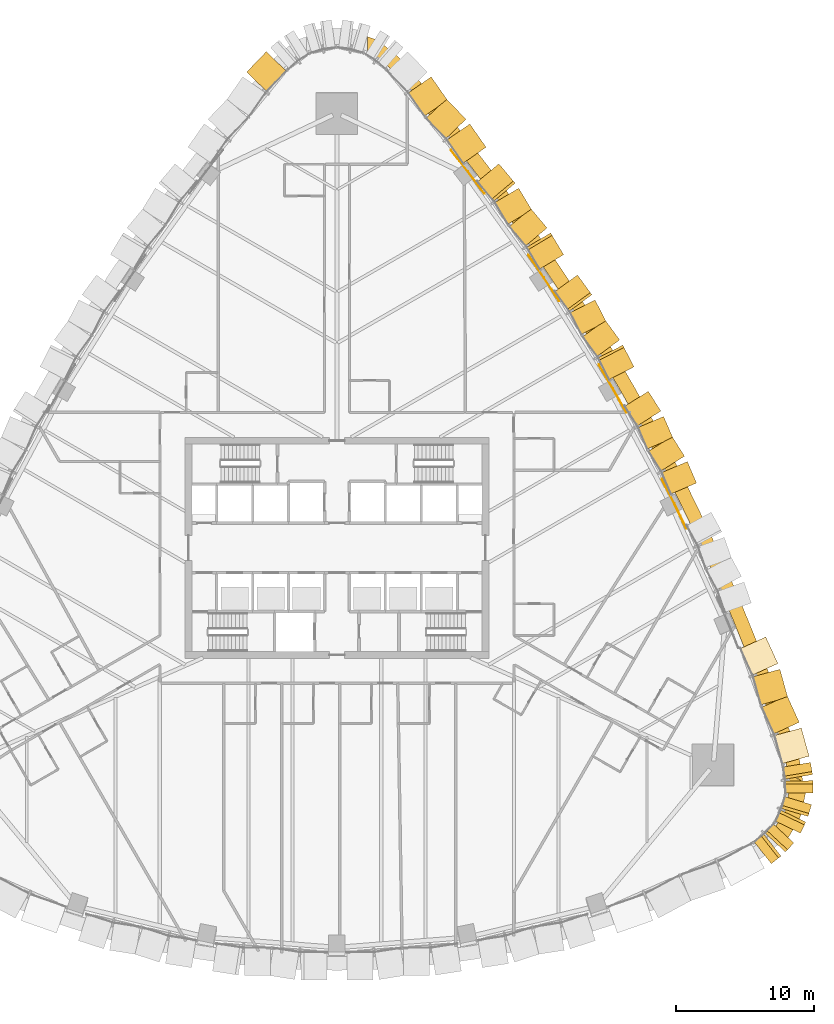
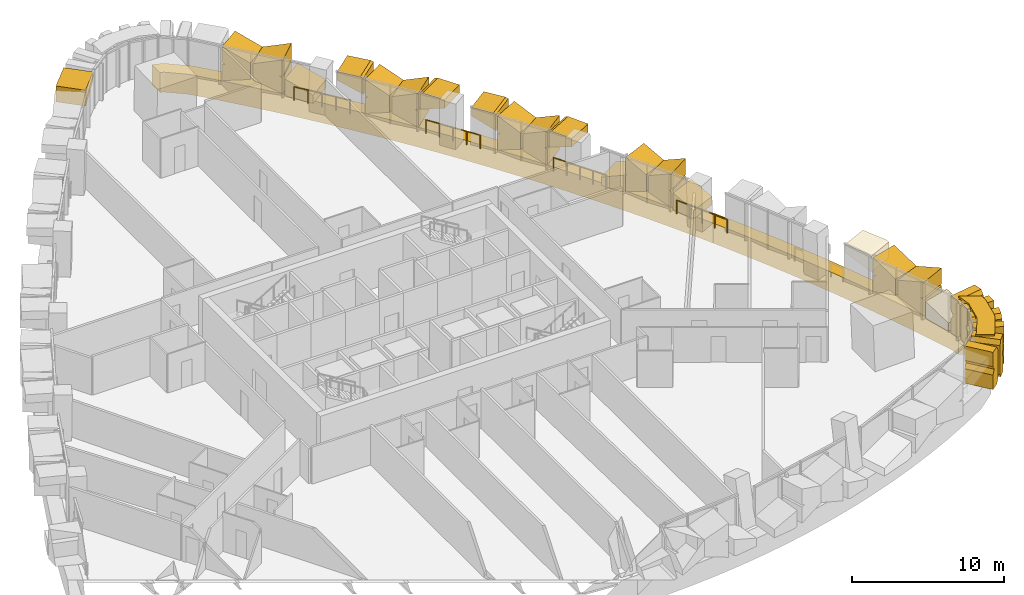
# One storey, part 25 of 27: 28 coverings, 4 railings.
"""IFC4 building model written with IfcOpenShell, lengths in metres."""

from ifc_helpers import new_model, si_unit, direction, frame, origin, origin_2d, place, context, subcontext, project, spatial, polyline, circle, outline, extrude, material, layer, layer_set, type_object, element, save


model = new_model("IFC4")

# Units and contexts
model_context = context("Model", 3, precision=1e-05, world=origin(), true_north=direction((0.0, 1.0)))
body_context = subcontext(model_context, "Body", "Model", "MODEL_VIEW")
ifc_project = project(units=[si_unit("LENGTHUNIT", "METRE"), si_unit("AREAUNIT", "SQUARE_METRE"), si_unit("VOLUMEUNIT", "CUBIC_METRE"), si_unit("PLANEANGLEUNIT", "RADIAN"), si_unit("MASSUNIT", "GRAM", prefix="KILO")], contexts=[model_context])

# Site, building, storey
site_placement = place(None, origin())
site = spatial("IfcSite", under=ifc_project, at=site_placement, CompositionType="ELEMENT")
building_placement = place(site_placement, origin())
building = spatial("IfcBuilding", under=site, at=building_placement, Name="Sierra Prisma Convention Tower", CompositionType="ELEMENT")
storey_placement = place(building_placement, frame((0.0, 0.0, 48.0)))
storey = spatial("IfcBuildingStorey", under=building, at=storey_placement, Name="L07", CompositionType="ELEMENT", Elevation=48.0)

# Coverings
ifc_material_1 = material(Name="Aluminium composite bronze anodised", Category="aluminium")
ifc_layer_1 = layer(ifc_material_1, 1.199951171875)
ifc_layer_set_1 = layer_set([ifc_layer_1], Name="Bronze corner pier")
covering_type_1 = type_object("IfcCoveringType", Name="Bronze corner pier", PredefinedType="CLADDING", material=ifc_layer_set_1)
covering_1_placement = place(storey_placement, frame((0.0, 0.0, -0.60009765625)))
element("IfcCovering", 1, at=covering_1_placement, inside=storey, type_object=covering_type_1, Name="Corner pier SE L07.1", PredefinedType="CLADDING", context=body_context, shape_type="SweptSolid", body=[
    extrude(outline(polyline([(33.949462890625, -17.1796875), (33.9384765625, -17.588134765625), (33.600830078125, -19.26708984375), (33.453125, -19.648193359375), (32.57177734375, -21.116455078125), (32.439697265625, -21.269287109375), (31.3623046875, -20.647216796875), (31.54296875, -20.498779296875), (32.42431640625, -19.030517578125), (32.761962890625, -17.3515625), (32.607666015625, -16.28564453125), (33.9306640625, -17.049560546875), (33.949462890625, -17.1796875)])), origin(), (0.0, 0.0, 1.0), 3.7001953125),
])
ifc_material_2 = material(Name="Aluminium 6063-T6 bronze anodised", Category="aluminium")
ifc_layer_2 = layer(ifc_material_2, 2.0)
ifc_layer_set_2 = layer_set([ifc_layer_2], Name="Bronze crystal chevron frame")
covering_type_2 = type_object("IfcCoveringType", Name="Bronze crystal chevron frame", PredefinedType="CLADDING", material=ifc_layer_set_2)
covering_2_placement = place(storey_placement, frame((31.431396484375, -22.856201171875, 0.0), z_axis=(0.61804576093, -0.7861421229, 0.0), x_axis=(0.7861421229, 0.61804576093, 0.0)))
element("IfcCovering", 2, at=covering_2_placement, inside=storey, type_object=covering_type_2, Name="CW-2 chevron frame SE1.1.1", PredefinedType="CLADDING", context=body_context, shape_type="SweptSolid", body=[
    extrude(outline(polyline([(0.0, 0.0), (0.6655541202490309, 0.0), (0.8888041303295908, 0.327880859375), (0.8888041303295908, 2.652099609375), (0.6655541202490309, 2.97998046875), (0.0, 2.97998046875), (0.0, 1.825439453125), (0.227939629459136, 1.489990234375), (0.0, 1.15478515625), (0.0, 0.0)])), origin(), (0.0, 0.0, -1.0), 2.0),
])
covering_3_placement = place(storey_placement, frame((32.4560546875, -22.006103515625, 0.327880859375), z_axis=(0.733644064481, -0.679533948123, 0.0), x_axis=(0.382192310942, 0.41262562553, -0.82684286936)))
element("IfcCovering", 3, at=covering_3_placement, inside=storey, type_object=covering_type_2, Name="CW-2 chevron frame SE1.1.2", PredefinedType="CLADDING", context=body_context, shape_type="SweptSolid", body=[
    extrude(outline(polyline([(0.0, 0.0), (0.39654554876748715, -2.7755575615628914e-17), (0.7710246085484119, 0.550528410047601), (-0.1838012635401256, 1.200017679462963), (-0.5893209305797057, 1.1998470512217163), (-0.7383269867171262, 1.5772157815948864), (-1.6929509928707613, 2.2265677382683), (-2.067430052651686, 1.676039328220699), (-1.9217637002712216, 1.3072173033476204), (0.0, 0.0)])), origin(), (0.0, 0.0, -1.0), 2.0),
])
covering_4_placement = place(storey_placement, frame((33.539306640625, -20.650390625, 0.0), z_axis=(0.901292091871, -0.433211917116, 0.0), x_axis=(0.433211917116, 0.901292091871, 0.0)))
element("IfcCovering", 4, at=covering_4_placement, inside=storey, type_object=covering_type_2, Name="CW-2 chevron frame SE2.1.1", PredefinedType="CLADDING", context=body_context, shape_type="SweptSolid", body=[
    extrude(outline(polyline([(0.0, 0.0), (0.6657712978350099, 0.0), (0.8887486686327468, 0.32788085937500006), (0.8887486686327468, 2.6520996093750004), (0.6657712978350099, 2.9799804687500004), (0.0, 2.9799804687500004), (0.0, 1.8254394531250004), (0.22800428610107465, 1.4899902343750002), (0.0, 1.1547851562500002), (0.0, 0.0)])), origin(), (0.0, 0.0, -1.0), 2.0),
])
covering_5_placement = place(storey_placement, frame((34.08447265625, -19.435791015625, 0.327880859375), z_axis=(0.957926827618, -0.287012530964, 0.0), x_axis=(0.161523017986, 0.539095738039, -0.826611214471)))
element("IfcCovering", 5, at=covering_5_placement, inside=storey, type_object=covering_type_2, Name="CW-2 chevron frame SE2.1.2", PredefinedType="CLADDING", context=body_context, shape_type="SweptSolid", body=[
    extrude(outline(polyline([(0.0, 0.0), (0.3966566792648369, 5.551115123125783e-17), (0.771312585232, 0.550301015048411), (-0.1832457752284864, 1.2001833840740104), (-0.5886940300706622, 1.200284674904161), (-0.7376161380582867, 1.5776097831677358), (-1.6919726891402402, 2.227354756343647), (-2.066628595107403, 1.6770537412952358), (-1.9212252836329449, 1.308008489032496), (0.0, 0.0)])), origin(), (0.0, 0.0, -1.0), 2.0),
])
covering_6_placement = place(storey_placement, frame((34.45947265625, -17.741455078125, 0.0), z_axis=(0.999966260474, 0.008214494098, 0.0), x_axis=(-0.008214494098, 0.999966260474, 0.0)))
element("IfcCovering", 6, at=covering_6_placement, inside=storey, type_object=covering_type_2, Name="CW-2 chevron frame SE3.1.1", PredefinedType="CLADDING", context=body_context, shape_type="SweptSolid", body=[
    extrude(outline(polyline([(0.0, 0.0), (0.6657931423787214, 0.0), (0.8889461887718326, 0.327880859375), (0.8889461887718326, 2.652099609375), (0.6657931423787214, 2.97998046875), (0.0, 2.97998046875), (0.0, 1.825439453125), (0.22827982653714393, 1.489990234375), (0.0, 1.15478515625), (0.0, 0.0)])), origin(), (0.0, 0.0, -1.0), 2.0),
])
covering_7_placement = place(storey_placement, frame((34.413818359375, -16.41064453125, 0.327880859375), z_axis=(0.986371096544, 0.164535892442, 0.0), x_axis=(-0.092542711469, 0.554781418414, -0.826833371567)))
element("IfcCovering", 7, at=covering_7_placement, inside=storey, type_object=covering_type_2, Name="CW-2 chevron frame SE3.1.2", PredefinedType="CLADDING", context=body_context, shape_type="SweptSolid", body=[
    extrude(outline(polyline([(0.0, 0.0), (0.39655010386646494, 2.7755575615628914e-17), (0.7710181581322131, 0.5504922408173127), (-0.18379674604505308, 1.1999976340638163), (-0.5892922835923375, 1.1998693298033525), (-0.738316099485846, 1.5772051002896397), (-1.692929140047007, 2.226573177385351), (-2.0673971943127554, 1.6760809365680382), (-1.9217416253208404, 1.3072497555405311), (0.0, 0.0)])), origin(), (0.0, 0.0, -1.0), 2.0),
])
covering_8_placement = place(storey_placement, frame((33.67578125, -13.305908203125, 0.0), z_axis=(0.963714864507, 0.266933811856, -4.103579e-06), x_axis=(-0.253245816385, 0.914301762922, 0.316099419173)))
element("IfcCovering", 8, at=covering_8_placement, inside=storey, type_object=covering_type_2, Name="CW-2 chevron frame NE1.1.1", PredefinedType="CLADDING", context=body_context, shape_type="SweptSolid", body=[
    extrude(outline(polyline([(0.0, 0.0), (0.28731565774389345, 0.0), (0.6871474670060251, 1.20003656547246), (-1.5370077840715204, 1.199704585982058), (-1.7432132645479566, 0.5808090633141536), (0.0, 0.0)])), origin(), (0.0, 0.0, -1.0), 2.0),
])
covering_9_placement = place(storey_placement, frame((33.451416015625, -12.62646484375, 1.399169921875), z_axis=(0.910103568388, 0.414380857191, 0.0), x_axis=(0.0, 0.0, -1.0)))
element("IfcCovering", 9, at=covering_9_placement, inside=storey, type_object=covering_type_2, Name="CW-2 chevron frame NE1.1.2", PredefinedType="CLADDING", context=body_context, shape_type="SweptSolid", body=[
    extrude(outline(polyline([(0.0, 0.0), (1.264892578125, 0.0), (0.5615234375, 2.109829691156558), (-0.7431640625, 2.109829691156558), (-1.446533203125, 0.0), (-0.181640625, 0.0), (-0.0908203125, 0.2724875931408821), (0.0, 0.0)])), origin(), (0.0, 0.0, -1.0), 2.0),
])
covering_10_placement = place(storey_placement, frame((32.61962890625, -10.822998046875, 0.837646484375), z_axis=(0.963714864515, 0.266933811858, 0.0), x_axis=(-0.253234469353, 0.914255937172, -0.316241023395)))
element("IfcCovering", 10, at=covering_10_placement, inside=storey, type_object=covering_type_2, Name="CW-2 chevron frame NE1.2.1", PredefinedType="CLADDING", context=body_context, shape_type="SweptSolid", body=[
    extrude(outline(polyline([(0.0, 0.0), (2.2241552758547183, 1.1102230246251565e-16), (1.8241443524641179, 1.1999768728454345), (1.5368286979312042, 1.1999339878105584), (1.7667021353240664, 1.372295497318896), (1.3666912119334658, 2.57227237016433), (-0.41259571021026237, 1.2377294747126042), (0.0, 0.0)])), origin(), (0.0, 0.0, -1.0), 2.0),
])
covering_11_placement = place(storey_placement, frame((31.90478515625, -8.372802734375, 1.624267578125), z_axis=(0.910081645376, 0.414429001577, 3.7439052e-05), x_axis=(-0.393173497032, 0.863376218116, 0.316221610935)))
element("IfcCovering", 11, at=covering_11_placement, inside=storey, type_object=covering_type_2, Name="CW-2 chevron frame NE1.2.2", PredefinedType="CLADDING", context=body_context, shape_type="SweptSolid", body=[
    extrude(outline(polyline([(0.0, 0.0), (2.224291811322616, 0.0), (2.4305770028311224, 0.6188689581259283), (0.6873066826795252, 1.199946501077232), (0.39998636871465976, 1.199985056905103), (0.0, 0.0)])), origin(), (0.0, 0.0, -1.0), 2.0),
])
covering_12_placement = place(storey_placement, frame((25.4228515625, 6.0849609375, 0.0), z_axis=(0.918888865133, 0.394516467736, -0.00010109444), x_axis=(-0.364903363022, 0.850012788575, 0.379899716917)))
element("IfcCovering", 12, at=covering_12_placement, inside=storey, type_object=covering_type_2, Name="CW-2 chevron frame NE3.1.1", PredefinedType="CLADDING", context=body_context, shape_type="SweptSolid", body=[
    extrude(outline(polyline([(0.0, 0.0), (0.18315385657651734, 0.0), (0.676021799862464, 1.2000969364242602), (-1.1491082608535748, 1.199840602639921), (-1.404909876883428, 0.5769826141833704), (0.0, 0.0)])), origin(), (0.0, 0.0, -1.0), 2.0),
])
covering_13_placement = place(storey_placement, frame((25.149658203125, 6.633056640625, 1.42041015625), z_axis=(0.845887028338, 0.533362105224, 0.0), x_axis=(0.0, 0.0, -1.0)))
element("IfcCovering", 13, at=covering_13_placement, inside=storey, type_object=covering_type_2, Name="CW-2 chevron frame NE3.1.2", PredefinedType="CLADDING", context=body_context, shape_type="SweptSolid", body=[
    extrude(outline(polyline([(0.0, 0.0), (1.29736328125, 0.0), (0.603759765625, 1.6881427423869404), (-0.742919921875, 1.6881427423869404), (-1.4365234375, 0.0), (-0.13916015625, 0.0), (-0.069580078125, 0.16940421498229247), (0.0, 0.0)])), origin(), (0.0, 0.0, -1.0), 2.0),
])
covering_14_placement = place(storey_placement, frame((24.306884765625, 7.951171875, 0.816650390625), z_axis=(0.918890663845, 0.394512291187, 0.0), x_axis=(-0.364913735047, 0.849950259432, -0.380029633668)))
element("IfcCovering", 14, at=covering_14_placement, inside=storey, type_object=covering_type_2, Name="CW-2 chevron frame NE3.2.1", PredefinedType="CLADDING", context=body_context, shape_type="SweptSolid", body=[
    extrude(outline(polyline([(0.0, 0.0), (1.8251300798068288, 0.0), (1.3320935872993875, 1.200027708259991), (1.148850649185189, 1.199965362183991), (1.2792086040985517, 1.32874727802066), (0.7861721115911102, 2.5287749862806512), (-0.5117781883084394, 1.2456441171927193), (0.0, 0.0)])), origin(), (0.0, 0.0, -1.0), 2.0),
])
covering_15_placement = place(storey_placement, frame((23.4345703125, 9.894775390625, 0.069580078125), z_axis=(0.845821555024, 0.533465928187, 2.2798192e-05), x_axis=(-0.493455800484, 0.78240088498, -0.379934505083)))
element("IfcCovering", 15, at=covering_15_placement, inside=storey, type_object=covering_type_2, Name="CW-2 chevron frame NE3.2.2", PredefinedType="CLADDING", context=body_context, shape_type="SweptSolid", body=[
    extrude(outline(polyline([(0.0, 0.0), (0.1831370360377072, 1.3877787807814457e-17), (1.5881109761175847, 0.5770706516066382), (1.3322859358300065, 1.1999190229679852), (-0.492913076174108, 1.2000784066041326), (0.0, 0.0)])), origin(), (0.0, 0.0, -1.0), 2.0),
])
covering_16_placement = place(storey_placement, frame((21.494384765625, 13.09423828125, 2.3115234375), z_axis=(0.890097820386, 0.455769528222, 8.5367784e-05), x_axis=(-0.42400156692, 0.828125065858, -0.366649078204)))
element("IfcCovering", 16, at=covering_16_placement, inside=storey, type_object=covering_type_2, Name="CW-2 chevron frame NE4.1.1", PredefinedType="CLADDING", context=body_context, shape_type="SweptSolid", body=[
    extrude(outline(polyline([(0.0, 0.0), (1.897729513275062, -1.1102230246251565e-16), (1.424827394098022, 1.199972713876805), (1.2217866981058592, 1.1999922986464149), (-0.24508915432646894, 0.6219052225240759), (0.0, 0.0)])), origin(), (0.0, 0.0, -1.0), 2.0),
])
covering_17_placement = place(storey_placement, frame((20.457275390625, 15.043212890625, 1.41552734375), z_axis=(0.807796765477, 0.589461097686, 0.0), x_axis=(0.0, 0.0, -1.0)))
element("IfcCovering", 17, at=covering_17_placement, inside=storey, type_object=covering_type_2, Name="CW-2 chevron frame NE4.1.2", PredefinedType="CLADDING", context=body_context, shape_type="SweptSolid", body=[
    extrude(outline(polyline([(0.0, 0.0), (1.289794921875, 0.0), (0.593994140625, 1.7656302156618684), (-0.742919921875, 1.7656302156618684), (-1.438720703125, 0.0), (-0.14892578125, 0.0), (-0.074462890625, 0.18922473067162907), (0.0, 0.0)])), origin(), (0.0, 0.0, -1.0), 2.0),
])
covering_18_placement = place(storey_placement, frame((19.481689453125, 16.36376953125, 0.821533203125), z_axis=(0.890071044696, 0.455821824175, 0.0), x_axis=(-0.424071061485, 0.828072182381, -0.366688144855)))
element("IfcCovering", 18, at=covering_18_placement, inside=storey, type_object=covering_type_2, Name="CW-2 chevron frame NE4.2.1", PredefinedType="CLADDING", context=body_context, shape_type="SweptSolid", body=[
    extrude(outline(polyline([(0.0, 0.0), (1.8975273430902273, 0.0), (1.4245748359440709, 1.199952860106889), (1.2214306214553703, 1.199923102805918), (1.3699655174963792, 1.338505054819212), (0.8970130103502229, 2.538457914926101), (-0.4902305374091146, 1.243789865974886), (0.0, 0.0)])), origin(), (0.0, 0.0, -1.0), 2.0),
])
covering_19_placement = place(storey_placement, frame((18.444580078125, 18.312744140625, 1.61572265625), z_axis=(0.807813979917, 0.5894375063, -4.235719e-06), x_axis=(-0.548375673426, 0.751542078238, 0.366699639258)))
element("IfcCovering", 19, at=covering_19_placement, inside=storey, type_object=covering_type_2, Name="CW-2 chevron frame NE4.2.2", PredefinedType="CLADDING", context=body_context, shape_type="SweptSolid", body=[
    extrude(outline(polyline([(0.0, 0.0), (1.897467864017675, 0.0), (2.1425908162364964, 0.6218919045260809), (0.6759987036510346, 1.1999592273918276), (0.4729673325683105, 1.199947016658614), (0.0, 0.0)])), origin(), (0.0, 0.0, -1.0), 2.0),
])
covering_20_placement = place(storey_placement, frame((16.40576171875, 21.21337890625, 2.315185546875), z_axis=(0.857165166185, 0.515041623922, -5.9225966e-05), x_axis=(-0.481418418902, 0.801166402885, -0.35548375607)))
element("IfcCovering", 20, at=covering_20_placement, inside=storey, type_object=covering_type_2, Name="CW-2 chevron frame NE5.1.1", PredefinedType="CLADDING", context=body_context, shape_type="SweptSolid", body=[
    extrude(outline(polyline([(0.0, 0.0), (1.9621424370123646, -1.1102230246251565e-16), (1.5057242062576253, 1.2000720317470464), (1.28532122598249, 1.2000928604073529), (-0.2363237958442965, 0.6213721510643102), (0.0, 0.0)])), origin(), (0.0, 0.0, -1.0), 2.0),
])
covering_21_placement = place(storey_placement, frame((15.203857421875, 23.146484375, 1.41162109375), z_axis=(0.766111745269, 0.642707393579, 0.0), x_axis=(0.0, 0.0, -1.0)))
element("IfcCovering", 21, at=covering_21_placement, inside=storey, type_object=covering_type_2, Name="CW-2 chevron frame NE5.1.2", PredefinedType="CLADDING", context=body_context, shape_type="SweptSolid", body=[
    extrude(outline(polyline([(0.0, 0.0), (1.283935546875, 0.0), (0.58642578125, 1.8339756812064607), (-0.7431640625, 1.8339756812064607), (-1.440673828125, 0.0), (-0.15673828125, 0.0), (-0.078369140625, 0.20621689792537723), (0.0, 0.0)])), origin(), (0.0, 0.0, -1.0), 2.0),
])
covering_22_placement = place(storey_placement, frame((14.09716796875, 24.450439453125, 0.8251953125), z_axis=(0.857255989717, 0.514890442807, 0.0), x_axis=(-0.481261835607, 0.801266748994, -0.355469608469)))
element("IfcCovering", 22, at=covering_22_placement, inside=storey, type_object=covering_type_2, Name="CW-2 chevron frame NE5.2.1", PredefinedType="CLADDING", context=body_context, shape_type="SweptSolid", body=[
    extrude(outline(polyline([(0.0, 0.0), (1.9622205358993687, 0.0), (1.5058204697529223, 1.2000789424661715), (1.2853393888829294, 1.2000733974421018), (1.450104774284959, 1.346580307946925), (0.9937047081385127, 2.5466592504130965), (-0.47262878118150736, 1.2427514585797244), (0.0, 0.0)])), origin(), (0.0, 0.0, -1.0), 2.0),
])
covering_23_placement = place(storey_placement, frame((12.895263671875, 26.3837890625, 1.61767578125), z_axis=(0.766111335291, 0.642707882254, 5.185089e-06), x_axis=(-0.600729012041, 0.716069422909, 0.355484508336)))
element("IfcCovering", 23, at=covering_23_placement, inside=storey, type_object=covering_type_2, Name="CW-2 chevron frame NE5.2.2", PredefinedType="CLADDING", context=body_context, shape_type="SweptSolid", body=[
    extrude(outline(polyline([(0.0, 0.0), (1.9621382908427027, -1.1102230246251565e-16), (2.1984625867900105, 0.6213719620999282), (0.6767039863873969, 1.2001372618108652), (0.4564191966165595, 1.2000716667952709), (0.0, 0.0)])), origin(), (0.0, 0.0, -1.0), 2.0),
])
covering_24_placement = place(storey_placement, frame((9.764892578125, 30.45703125, 0.0), z_axis=(0.820448299465, 0.571720724904, -2.4922475e-05), x_axis=(-0.540890868702, 0.77622000883, 0.323912898858)))
element("IfcCovering", 24, at=covering_24_placement, inside=storey, type_object=covering_type_2, Name="CW-2 chevron frame NE6.1.1", PredefinedType="CLADDING", context=body_context, shape_type="SweptSolid", body=[
    extrude(outline(polyline([(0.0, 0.0), (0.2736014786135387, 1.3877787807814457e-17), (0.6844236245037427, 1.1999320008906227), (-1.4838561536297379, 1.2001279145534236), (-1.6959495117197334, 0.58064425211095), (0.0, 0.0)])), origin(), (0.0, 0.0, -1.0), 2.0),
])
covering_25_placement = place(storey_placement, frame((9.335693359375, 31.01220703125, 1.4013671875), z_axis=(0.720893536592, 0.693045820202, 0.0), x_axis=(0.0, 0.0, -1.0)))
element("IfcCovering", 25, at=covering_25_placement, inside=storey, type_object=covering_type_2, Name="CW-2 chevron frame NE6.1.2", PredefinedType="CLADDING", context=body_context, shape_type="SweptSolid", body=[
    extrude(outline(polyline([(0.0, 0.0), (1.268310546875, 0.0), (0.566162109375, 2.0512836821718112), (-0.743408203125, 2.0512836821718112), (-1.445556640625, 0.0), (-0.17724609375, 0.0), (-0.088623046875, 0.25865681005487706), (0.0, 0.0)])), origin(), (0.0, 0.0, -1.0), 2.0),
])
covering_26_placement = place(storey_placement, frame((7.992919921875, 32.394775390625, 0.835205078125), z_axis=(0.820448299719, 0.571720725081, 0.0), x_axis=(-0.540914222251, 0.776239402336, -0.32382741457)))
element("IfcCovering", 26, at=covering_26_placement, inside=storey, type_object=covering_type_2, Name="CW-2 chevron frame NE6.2.1", PredefinedType="CLADDING", context=body_context, shape_type="SweptSolid", body=[
    extrude(outline(polyline([(0.0, 0.0), (2.1682797870371022, -1.1102230246251565e-16), (1.7575660617710682, 1.1999691159327635), (1.4839645846700802, 1.1999938358600764), (1.7001689174894241, 1.367664511152626), (1.28945519222339, 2.5676336270853897), (-0.42407476849413045, 1.2390056473269189), (0.0, 0.0)])), origin(), (0.0, 0.0, -1.0), 2.0),
])
covering_27_placement = place(storey_placement, frame((-5.1171875, 35.8994140625, 2.3251953125), z_axis=(-0.720921007345, 0.693017242856, -4.7677845e-05), x_axis=(-0.655519030983, -0.681935281492, -0.324436545222)))
element("IfcCovering", 27, at=covering_27_placement, inside=storey, type_object=covering_type_2, Name="CW-2 chevron frame NW1.1.1", PredefinedType="CLADDING", context=body_context, shape_type="SweptSolid", body=[
    extrude(outline(polyline([(0.0, 0.0), (2.1642088304979485, 0.0), (1.752643330260806, 1.199935344314312), (1.480284152957505, 1.1999518787841752), (-0.21243623395612332, 0.6193661650213597), (0.0, 0.0)])), origin(), (0.0, 0.0, -1.0), 2.0),
])
ifc_material_3 = material(Name="Aluminium composite bronze anodised", Category="aluminium")
ifc_layer_3 = layer(ifc_material_3, 1.0)
ifc_layer_set_3 = layer_set([ifc_layer_3], Name="Bronze spandrel band")
covering_type_3 = type_object("IfcCoveringType", Name="Bronze spandrel band", PredefinedType="CLADDING", material=ifc_layer_set_3)
covering_28_placement = place(storey_placement, frame((0.0, 0.0, -1.60009765625)))
element("IfcCovering", 28, at=covering_28_placement, inside=storey, type_object=covering_type_3, Name="Spandrel band L07.3", PredefinedType="CLADDING", context=body_context, shape_type="SweptSolid", body=[
    extrude(outline(polyline([(13.087890625, 24.712646484375), (13.095703125, 24.70166015625), (14.226806640625, 23.115478515625), (14.234619140625, 23.104248046875), (15.34423828125, 21.5029296875), (15.351806640625, 21.49169921875), (16.439697265625, 19.87548828125), (16.447265625, 19.8642578125), (17.512939453125, 18.2333984375), (17.5205078125, 18.22216796875), (18.56396484375, 16.576904296875), (18.5712890625, 16.5654296875), (19.592529296875, 14.906494140625), (19.599609375, 14.89501953125), (20.598388671875, 13.22216796875), (20.60498046875, 13.21044921875), (21.5810546875, 11.5244140625), (21.587890625, 11.5126953125), (22.541015625, 9.8134765625), (22.547607421875, 9.801513671875), (23.4775390625, 8.089599609375), (23.48388671875, 8.07763671875), (24.390625, 6.353515625), (24.39697265625, 6.34130859375), (25.2802734375, 4.60498046875), (25.286376953125, 4.5927734375), (26.14599609375, 2.844482421875), (26.15185546875, 2.83251953125), (26.98779296875, 1.072509765625), (26.99365234375, 1.060302734375), (27.805908203125, -0.71044921875), (27.811279296875, -0.722900390625), (28.599365234375, -2.504638671875), (28.604736328125, -2.51708984375), (29.36865234375, -4.30908203125), (29.373779296875, -4.32177734375), (30.11328125, -6.1240234375), (30.118408203125, -6.13671875), (30.83349609375, -7.948974609375), (30.83837890625, -7.96142578125), (31.52880859375, -9.783203125), (31.53369140625, -9.7958984375), (32.199462890625, -11.626953125), (32.2041015625, -11.6396484375), (32.844970703125, -13.4794921875), (32.84912109375, -13.4921875), (33.465087890625, -15.340576171875), (33.506103515625, -15.513427734375), (33.70849609375, -16.90966796875), (32.605712890625, -16.27294921875), (32.5166015625, -15.65673828125), (31.900390625, -13.808349609375), (31.259521484375, -11.968505859375), (30.593994140625, -10.1376953125), (29.9033203125, -8.31591796875), (29.188232421875, -6.503662109375), (28.910400390625, -5.826904296875), (28.91064453125, -5.8251953125), (28.910400390625, -5.8203125), (28.90966796875, -5.815673828125), (28.908447265625, -5.810791015625), (28.90673828125, -5.80615234375), (28.448486328125, -4.697265625), (28.4462890625, -4.69287109375), (28.44384765625, -4.688720703125), (28.442626953125, -4.68701171875), (27.684814453125, -2.9091796875), (26.896728515625, -1.12744140625), (26.084716796875, 0.6435546875), (25.248779296875, 2.4033203125), (25.044189453125, 2.818603515625), (25.043701171875, 2.8232421875), (25.042724609375, 2.827880859375), (25.041259765625, 2.832763671875), (25.039306640625, 2.837158203125), (24.509033203125, 3.91357421875), (24.506591796875, 3.917724609375), (24.50390625, 3.921875), (24.500732421875, 3.925537109375), (24.49951171875, 3.927001953125), (24.388916015625, 4.151611328125), (23.505615234375, 5.887939453125), (22.598876953125, 7.6123046875), (21.668701171875, 9.32421875), (20.7158203125, 11.0234375), (20.61767578125, 11.19287109375), (20.617431640625, 11.19384765625), (20.6162109375, 11.198486328125), (20.6142578125, 11.203125), (20.612060546875, 11.20751953125), (20.011962890625, 12.24658203125), (20.009521484375, 12.250732421875), (20.00634765625, 12.254638671875), (20.0029296875, 12.25830078125), (19.999267578125, 12.261474609375), (19.9990234375, 12.261474609375), (19.73974609375, 12.70947265625), (18.740966796875, 14.382080078125), (17.719482421875, 16.041259765625), (16.67578125, 17.686279296875), (15.649658203125, 19.256591796875), (15.6484375, 19.26025390625), (15.646240234375, 19.264404296875), (15.643798828125, 19.2685546875), (14.976806640625, 20.26611328125), (14.973876953125, 20.27001953125), (14.970703125, 20.273681640625), (14.967041015625, 20.277099609375), (14.962890625, 20.280029296875), (14.96142578125, 20.281005859375), (14.522216796875, 20.933349609375), (13.41259765625, 22.534912109375), (12.281494140625, 24.12109375), (11.12890625, 25.691650390625), (10.16455078125, 26.969482421875), (10.1630859375, 26.973388671875), (10.161376953125, 26.9775390625), (10.158935546875, 26.981689453125), (10.15625, 26.985595703125), (9.425048828125, 27.93701171875), (9.421875, 27.94091796875), (9.41845703125, 27.9443359375), (9.41455078125, 27.947265625), (9.410400390625, 27.949951171875), (9.40869140625, 27.95068359375), (8.7607421875, 28.78564453125), (7.54541015625, 30.308349609375), (6.3095703125, 31.814453125), (5.05322265625, 33.3037109375), (3.777099609375, 34.775634765625), (2.454345703125, 35.84521484375), (2.2099609375, 35.931396484375), (2.2099609375, 36.9921875), (2.78759765625, 36.787841796875), (3.0830078125, 36.622802734375), (4.40576171875, 35.553466796875), (4.53271484375, 35.4306640625), (5.808837890625, 33.958740234375), (5.817626953125, 33.948486328125), (7.073974609375, 32.459228515625), (7.08251953125, 32.44873046875), (8.318359375, 30.942626953125), (8.326904296875, 30.93212890625), (9.542236328125, 29.409423828125), (9.550537109375, 29.39892578125), (10.7451171875, 27.85986328125), (10.75341796875, 27.84912109375), (11.92724609375, 26.294189453125), (11.935302734375, 26.283203125), (13.087890625, 24.712646484375)])), origin(), (0.0, 0.0, 1.0), 1.60009765625),
])

# Railings
ifc_material_4 = material(Name="Bronze anodised aluminium", Category="aluminium")
railing_type = type_object("IfcRailingType", Name="Facade guard 1100", PredefinedType="GUARDRAIL", material=ifc_material_4)
railing_1_placement = place(storey_placement, frame((25.281494140625, 1.40185546875, 0.0)))
element("IfcRailing", 29, at=railing_1_placement, inside=storey, type_object=railing_type, Name="Facade guard", PredefinedType="GUARDRAIL", context=body_context, shape_type="SweptSolid", body=[
    extrude(circle(Radius=0.02392578125, at=origin_2d()), frame((0.0, 0.0, 1.076171875), z_axis=(-0.430152641588, 0.902756171364, 0.0), x_axis=(-0.902756171364, -0.430152641588, 0.0)), (0.0, 0.0, 1.0), 0.994873046875),
    extrude(circle(Radius=0.02392578125, at=origin_2d()), frame((-0.427978515625, 0.898193359375, 1.076171875), z_axis=(-0.441145525918, 0.897435582626, 0.0), x_axis=(-0.897435582626, -0.441145525918, 0.0)), (0.0, 0.0, 1.0), 0.99951171875),
    extrude(circle(Radius=0.02392578125, at=origin_2d()), frame((-0.868896484375, 1.795166015625, 1.076171875), z_axis=(-0.442887523223, 0.896577181158, 0.0), x_axis=(-0.896577181158, -0.442887523223, 0.0)), (0.0, 0.0, 1.0), 0.994384765625),
    extrude(circle(Radius=0.02392578125, at=origin_2d()), frame((-1.309326171875, 2.686767578125, 1.076171875), z_axis=(-0.453355170428, 0.89132995543, 0.0), x_axis=(-0.89132995543, -0.453355170428, 0.0)), (0.0, 0.0, 1.0), 1.0),
    extrude(circle(Radius=0.02099609375, at=origin_2d()), origin(), (0.0, 0.0, 1.0), 1.052001953125),
    extrude(circle(Radius=0.02099609375, at=origin_2d()), frame((-0.427978515625, 0.898193359375, 0.0)), (0.0, 0.0, 1.0), 1.052001953125),
    extrude(circle(Radius=0.02099609375, at=origin_2d()), frame((-0.868896484375, 1.795166015625, 0.0)), (0.0, 0.0, 1.0), 1.052001953125),
    extrude(circle(Radius=0.02099609375, at=origin_2d()), frame((-1.309326171875, 2.686767578125, 0.0)), (0.0, 0.0, 1.0), 1.052001953125),
    extrude(circle(Radius=0.02099609375, at=origin_2d()), frame((-1.7626953125, 3.578125, 0.0)), (0.0, 0.0, 1.0), 1.052001953125),
])
railing_2_placement = place(storey_placement, frame((20.947998046875, 9.79150390625, 0.0)))
element("IfcRailing", 30, at=railing_2_placement, inside=storey, type_object=railing_type, Name="Facade guard", PredefinedType="GUARDRAIL", context=body_context, shape_type="SweptSolid", body=[
    extrude(circle(Radius=0.02392578125, at=origin_2d()), frame((0.0, 0.0, 1.076171875), z_axis=(-0.489183043596, 0.872181145094, 0.0), x_axis=(-0.872181145094, -0.489183043596, 0.0)), (0.0, 0.0, 1.0), 1.000244140625),
    extrude(circle(Radius=0.02392578125, at=origin_2d()), frame((-0.4892578125, 0.872314453125, 1.076171875), z_axis=(-0.498886216717, 0.866667492623, 0.0), x_axis=(-0.866667492623, -0.498886216717, 0.0)), (0.0, 0.0, 1.0), 0.994384765625),
    extrude(circle(Radius=0.02392578125, at=origin_2d()), frame((-0.9853515625, 1.734130859375, 1.076171875), z_axis=(-0.50096890345, 0.865465283981, 0.0), x_axis=(-0.865465283981, -0.50096890345, 0.0)), (0.0, 0.0, 1.0), 1.0),
    extrude(circle(Radius=0.02392578125, at=origin_2d()), frame((-1.486328125, 2.599609375, 1.076171875), z_axis=(-0.511026381573, 0.859565027986, 0.0), x_axis=(-0.859565027986, -0.511026381573, 0.0)), (0.0, 0.0, 1.0), 0.99462890625),
    extrude(circle(Radius=0.02099609375, at=origin_2d()), origin(), (0.0, 0.0, 1.0), 1.052001953125),
    extrude(circle(Radius=0.02099609375, at=origin_2d()), frame((-0.4892578125, 0.872314453125, 0.0)), (0.0, 0.0, 1.0), 1.052001953125),
    extrude(circle(Radius=0.02099609375, at=origin_2d()), frame((-0.9853515625, 1.734130859375, 0.0)), (0.0, 0.0, 1.0), 1.052001953125),
    extrude(circle(Radius=0.02099609375, at=origin_2d()), frame((-1.486328125, 2.599609375, 0.0)), (0.0, 0.0, 1.0), 1.052001953125),
    extrude(circle(Radius=0.02099609375, at=origin_2d()), frame((-1.99462890625, 3.45458984375, 0.0)), (0.0, 0.0, 1.0), 1.052001953125),
])
railing_3_placement = place(storey_placement, frame((16.072509765625, 17.878662109375, 0.0)))
element("IfcRailing", 31, at=railing_3_placement, inside=storey, type_object=railing_type, Name="Facade guard", PredefinedType="GUARDRAIL", context=body_context, shape_type="SweptSolid", body=[
    extrude(circle(Radius=0.02392578125, at=origin_2d()), frame((0.0, 0.0, 1.076171875), z_axis=(-0.547071763226, 0.837085709997, 0.0), x_axis=(-0.837085709997, -0.547071763226, 0.0)), (0.0, 0.0, 1.0), 1.0),
    extrude(circle(Radius=0.02392578125, at=origin_2d()), frame((-0.547119140625, 0.837158203125, 1.076171875), z_axis=(-0.553339805567, 0.83295561681, 0.0), x_axis=(-0.83295561681, -0.553339805567, 0.0)), (0.0, 0.0, 1.0), 0.994384765625),
    extrude(circle(Radius=0.02392578125, at=origin_2d()), frame((-1.097412109375, 1.66552734375, 1.076171875), z_axis=(-0.558356981092, 0.829600796568, 0.0), x_axis=(-0.829600796568, -0.558356981092, 0.0)), (0.0, 0.0, 1.0), 1.0),
    extrude(circle(Radius=0.02392578125, at=origin_2d()), frame((-1.65576171875, 2.4951171875, 1.076171875), z_axis=(-0.565079850189, 0.825036219151, 0.0), x_axis=(-0.825036219151, -0.565079850189, 0.0)), (0.0, 0.0, 1.0), 0.99462890625),
    extrude(circle(Radius=0.02099609375, at=origin_2d()), origin(), (0.0, 0.0, 1.0), 1.052001953125),
    extrude(circle(Radius=0.02099609375, at=origin_2d()), frame((-0.547119140625, 0.837158203125, 0.0)), (0.0, 0.0, 1.0), 1.052001953125),
    extrude(circle(Radius=0.02099609375, at=origin_2d()), frame((-1.097412109375, 1.66552734375, 0.0)), (0.0, 0.0, 1.0), 1.052001953125),
    extrude(circle(Radius=0.02099609375, at=origin_2d()), frame((-1.65576171875, 2.4951171875, 0.0)), (0.0, 0.0, 1.0), 1.052001953125),
    extrude(circle(Radius=0.02099609375, at=origin_2d()), frame((-2.2177734375, 3.315673828125, 0.0)), (0.0, 0.0, 1.0), 1.052001953125),
])
railing_4_placement = place(storey_placement, frame((10.676025390625, 25.6279296875, 0.0)))
element("IfcRailing", 32, at=railing_4_placement, inside=storey, type_object=railing_type, Name="Facade guard", PredefinedType="GUARDRAIL", context=body_context, shape_type="SweptSolid", body=[
    extrude(circle(Radius=0.02392578125, at=origin_2d()), frame((0.0, 0.0, 1.076171875), z_axis=(-0.602536027779, 0.798091683473, 0.0), x_axis=(-0.798091683473, -0.602536027779, 0.0)), (0.0, 0.0, 1.0), 1.0),
    extrude(circle(Radius=0.02392578125, at=origin_2d()), frame((-0.6025390625, 0.798095703125, 1.076171875), z_axis=(-0.605406901155, 0.795916128769, 0.0), x_axis=(-0.795916128769, -0.605406901155, 0.0)), (0.0, 0.0, 1.0), 0.994384765625),
    extrude(circle(Radius=0.02392578125, at=origin_2d()), frame((-1.20458984375, 1.589599609375, 1.076171875), z_axis=(-0.613044399207, 0.790048457122, 0.0), x_axis=(-0.790048457122, -0.613044399207, 0.0)), (0.0, 0.0, 1.0), 1.0),
    extrude(circle(Radius=0.02392578125, at=origin_2d()), frame((-1.817626953125, 2.379638671875, 1.076171875), z_axis=(-0.616639155625, 0.78724592838, 0.0), x_axis=(-0.78724592838, -0.616639155625, 0.0)), (0.0, 0.0, 1.0), 0.99462890625),
    extrude(circle(Radius=0.02099609375, at=origin_2d()), origin(), (0.0, 0.0, 1.0), 1.052001953125),
    extrude(circle(Radius=0.02099609375, at=origin_2d()), frame((-0.6025390625, 0.798095703125, 0.0)), (0.0, 0.0, 1.0), 1.052001953125),
    extrude(circle(Radius=0.02099609375, at=origin_2d()), frame((-1.20458984375, 1.589599609375, 0.0)), (0.0, 0.0, 1.0), 1.052001953125),
    extrude(circle(Radius=0.02099609375, at=origin_2d()), frame((-1.817626953125, 2.379638671875, 0.0)), (0.0, 0.0, 1.0), 1.052001953125),
    extrude(circle(Radius=0.02099609375, at=origin_2d()), frame((-2.430908203125, 3.16259765625, 0.0)), (0.0, 0.0, 1.0), 1.052001953125),
])

save(model, "model.ifc")
